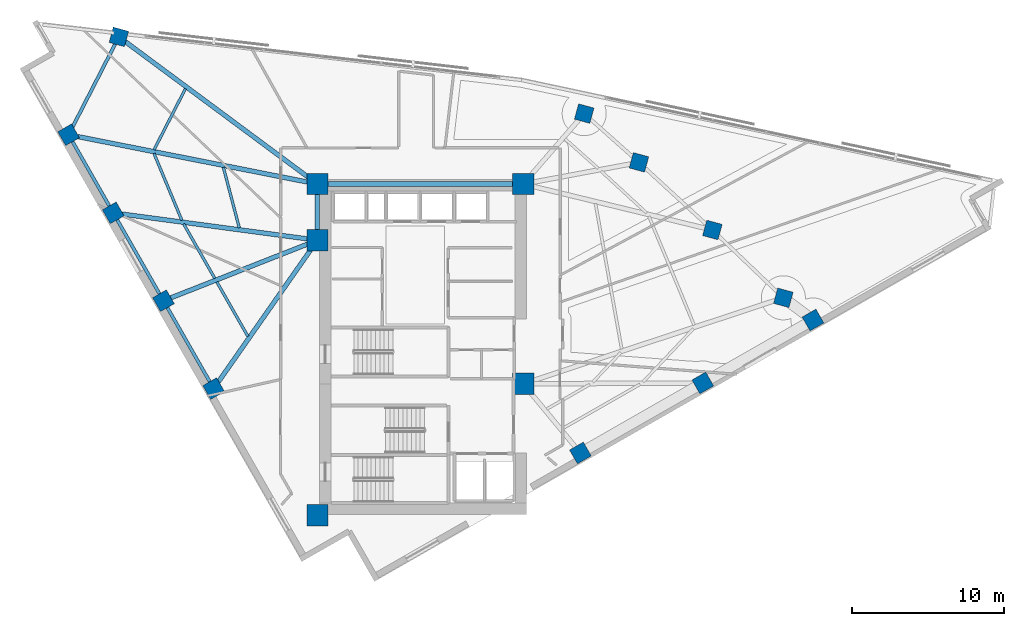
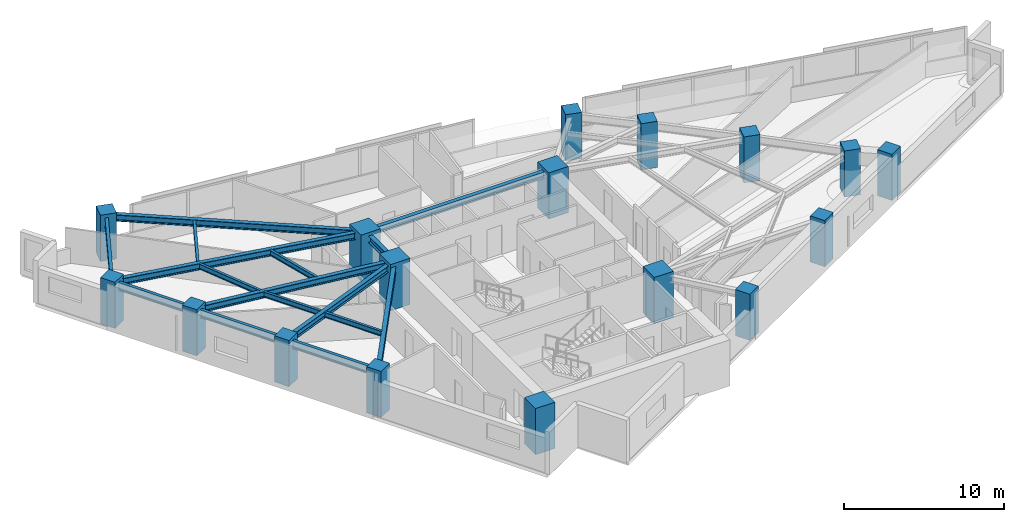
# One storey, part 1 of 14: 17 columns, 16 beams.
"""IFC4 building model written with IfcOpenShell, lengths in metres."""

from ifc_helpers import new_model, si_unit, direction, frame, origin, origin_2d, place, context, subcontext, project, spatial, rectangle, i_section, extrude, material, material_profile, profile_set, type_object, element, save


model = new_model("IFC4")

# Units and contexts
model_context = context("Model", 3, precision=1e-05, world=origin(), true_north=direction((0.0, 1.0)))
body_context = subcontext(model_context, "Body", "Model", "MODEL_VIEW")
ifc_project = project(units=[si_unit("LENGTHUNIT", "METRE"), si_unit("AREAUNIT", "SQUARE_METRE"), si_unit("VOLUMEUNIT", "CUBIC_METRE"), si_unit("PLANEANGLEUNIT", "RADIAN"), si_unit("MASSUNIT", "GRAM", prefix="KILO")], contexts=[model_context])

# Site, building, storey
site_placement = place(None, origin())
site = spatial("IfcSite", under=ifc_project, at=site_placement, CompositionType="ELEMENT")
building_placement = place(site_placement, origin())
building = spatial("IfcBuilding", under=site, at=building_placement, Name="Narakoshi Arena Tower", CompositionType="ELEMENT")
storey_placement = place(building_placement, frame((0.0, 0.0, 218.5)))
storey = spatial("IfcBuildingStorey", under=building, at=storey_placement, Name="L59", CompositionType="ELEMENT", Elevation=218.5)

# Columns
ifc_material_1 = material(Name="Concrete C50/60", Category="concrete")
ifc_material_profile_1 = material_profile(ifc_material_1, rectangle(XDim=1.050048828125, YDim=1.050048828125, at=origin_2d()), Name="RC1050x1050")
ifc_profile_set_1 = profile_set([ifc_material_profile_1], Name="Concrete C50/60")
column_type_1 = type_object("IfcColumnType", Name="COL-RC1050", PredefinedType="COLUMN", material=ifc_profile_set_1)
for number, where, z_axis, x_axis, name in (
    (1, (89.30810546875, 38.798583984375, 0.0), (0.0, 0.0, 1.0), (0.868198814489, 0.496216503675, 0.0), "L59 Tower Perimeter Column TC01"),
    (2, (97.366943359375, 43.404541015625, 0.0), (0.0, 0.0, 1.0), (0.868198814489, 0.496216503675, 0.0), "L59 Tower Perimeter Column TC02"),
    (3, (104.619873046875, 47.550048828125, 0.0), (0.0, 0.0, 1.0), (0.868198814489, 0.496216503675, 0.0), "L59 Tower Perimeter Column TC03"),
    (4, (102.668701171875, 49.009521484375, 0.0), (0.0, 0.0, 1.0), (0.263031214458, 0.964787323829, 0.0), "L59 Tower Perimeter Column TC05"),
    (5, (97.997802734375, 53.47509765625, 0.0), (0.0, 0.0, 1.0), (0.263031214458, 0.964787323829, 0.0), "L59 Tower Perimeter Column TC06"),
    (6, (93.16650390625, 57.923828125, 0.0), (0.0, 0.0, 1.0), (0.263031214458, 0.964787323829, 0.0), "L59 Tower Perimeter Column TC07"),
    (7, (89.5615234375, 61.134765625, 0.0), (0.0, 0.0, 1.0), (0.263031214458, 0.964787323829, 0.0), "L59 Tower Perimeter Column TC08"),
    (8, (58.934326171875, 66.183837890625, 0.0), (0.0, 0.0, 1.0), (0.263031214458, 0.964787323829, 0.0), "L59 Tower Perimeter Column TC10"),
    (9, (55.624755859375, 59.74169921875, 0.0), (0.0, 0.0, 1.0), (-0.496216503675, 0.868198814489, 0.0), "L59 Tower Perimeter Column TC13"),
    (10, (58.562744140625, 54.60107421875, 0.0), (0.0, 0.0, 1.0), (-0.496216503675, 0.868198814489, 0.0), "L59 Tower Perimeter Column TC14"),
    (11, (61.8681640625, 48.81787109375, 0.0), (0.0, 0.0, 1.0), (-0.496216503675, 0.868198814489, 0.0), "L59 Tower Perimeter Column TC15"),
    (12, (65.17333984375, 43.03466796875, 0.0), (0.0, 0.0, 1.0), (-0.496216503675, 0.868198814489, 0.0), "L59 Tower Perimeter Column TC16"),
):
    element("IfcColumn", number, at=place(storey_placement, frame(where, z_axis=z_axis, x_axis=x_axis)), inside=storey, type_object=column_type_1, Name=name, PredefinedType="COLUMN", context=body_context, shape_type="SweptSolid", body=[
        extrude(rectangle(XDim=1.050048828125, YDim=1.050048828125, at=origin_2d()), origin(), (0.0, 0.0, 1.0), 3.52001953125),
    ])
ifc_material_2 = material(Name="Concrete C60/75", Category="concrete")
ifc_material_profile_2 = material_profile(ifc_material_2, rectangle(XDim=1.39990234375, YDim=1.39990234375, at=origin_2d()), Name="RC1400x1400")
ifc_profile_set_2 = profile_set([ifc_material_profile_2], Name="Concrete C60/75")
column_type_2 = type_object("IfcColumnType", Name="COL-RC1400", PredefinedType="COLUMN", material=ifc_profile_set_2)
for number, where, z_axis, x_axis, name in (
    (13, (72.0, 34.699951171875, 0.0), (0.0, 0.0, 1.0), (1.0, 0.0, 0.0), "L59 Core Structural Column CC1"),
    (14, (85.550048828125, 43.35009765625, 0.0), (0.0, 0.0, 1.0), (1.0, 0.0, 0.0), "L59 Core Structural Column CC3"),
    (15, (72.0, 52.800048828125, 0.0), (0.0, 0.0, 1.0), (1.0, 0.0, 0.0), "L59 Core Structural Column CC4"),
    (16, (72.0, 56.5, 0.0), (0.0, 0.0, 1.0), (1.0, 0.0, 0.0), "L59 Core Structural Column CC5"),
    (17, (85.550048828125, 56.5, 0.0), (0.0, 0.0, 1.0), (1.0, 0.0, 0.0), "L59 Core Structural Column CC6"),
):
    element("IfcColumn", number, at=place(storey_placement, frame(where, z_axis=z_axis, x_axis=x_axis)), inside=storey, type_object=column_type_2, Name=name, PredefinedType="COLUMN", context=body_context, shape_type="SweptSolid", body=[
        extrude(rectangle(XDim=1.39990234375, YDim=1.39990234375, at=origin_2d()), origin(), (0.0, 0.0, 1.0), 3.52001953125),
    ])

# Beams
ifc_material_3 = material(Name="Structural steel S355J2", Category="steel")
ifc_material_profile_3 = material_profile(ifc_material_3, i_section(OverallWidth=0.219970703125, OverallDepth=0.60009765625, WebThickness=0.011962890625, FlangeThickness=0.01904296875, FilletRadius=0.02392578125, at=origin_2d()), Name="IPE600")
ifc_profile_set_3 = profile_set([ifc_material_profile_3], Name="Structural steel S355J2")
beam_type_1 = type_object("IfcBeamType", Name="BM-EDGE-600", PredefinedType="BEAM", material=ifc_profile_set_3)
beam_1_placement = place(storey_placement, frame((58.934326171875, 66.183837890625, 2.9599609375), z_axis=(-0.45696256568, -0.889485926571, 0.0), x_axis=(0.889485926571, -0.45696256568, 0.0)))
element("IfcBeam", 18, at=beam_1_placement, inside=storey, type_object=beam_type_1, Name="L59 Perimeter Edge Girder 08", PredefinedType="BEAM", context=body_context, shape_type="SweptSolid", body=[
    extrude(i_section(OverallWidth=0.219970703125, OverallDepth=0.60009765625, WebThickness=0.011962890625, FlangeThickness=0.01904296875, FilletRadius=0.02392578125, at=origin_2d()), origin(), (0.0, 0.0, 1.0), 7.242431640625),
])
beam_2_placement = place(storey_placement, frame((55.624755859375, 59.74169921875, 2.9599609375), z_axis=(0.496201104161, -0.868207615856, 0.0), x_axis=(0.868207615856, 0.496201104161, 0.0)))
element("IfcBeam", 19, at=beam_2_placement, inside=storey, type_object=beam_type_1, Name="L59 Perimeter Edge Girder 09", PredefinedType="BEAM", context=body_context, shape_type="SweptSolid", body=[
    extrude(i_section(OverallWidth=0.219970703125, OverallDepth=0.60009765625, WebThickness=0.011962890625, FlangeThickness=0.01904296875, FilletRadius=0.02392578125, at=origin_2d()), origin(), (0.0, 0.0, 1.0), 5.9208984375),
])
for number, where, z_axis, x_axis, name in (
    (20, (58.562744140625, 54.60107421875, 2.9599609375), (0.496221824399, -0.868195773423, 0.0), (0.868195773423, 0.496221824399, 0.0), "L59 Perimeter Edge Girder 10"),
    (21, (61.8681640625, 48.81787109375, 2.9599609375), (0.496194197226, -0.868211563295, 0.0), (0.868211563295, 0.496194197226, 0.0), "L59 Perimeter Edge Girder 11"),
):
    element("IfcBeam", number, at=place(storey_placement, frame(where, z_axis=z_axis, x_axis=x_axis)), inside=storey, type_object=beam_type_1, Name=name, PredefinedType="BEAM", context=body_context, shape_type="SweptSolid", body=[
        extrude(i_section(OverallWidth=0.219970703125, OverallDepth=0.60009765625, WebThickness=0.011962890625, FlangeThickness=0.01904296875, FilletRadius=0.02392578125, at=origin_2d()), origin(), (0.0, 0.0, 1.0), 6.6611328125),
    ])
ifc_material_profile_4 = material_profile(ifc_material_3, i_section(OverallWidth=0.300048828125, OverallDepth=0.5, WebThickness=0.014404296875, FlangeThickness=0.028076171875, FilletRadius=0.027099609375, at=origin_2d()), Name="HE500B")
ifc_profile_set_4 = profile_set([ifc_material_profile_4], Name="Structural steel S355J2")
beam_type_2 = type_object("IfcBeamType", Name="BM-PRI-500", PredefinedType="BEAM", material=ifc_profile_set_4)
beam_3_placement = place(storey_placement, frame((72.0, 56.5, 3.010009765625), z_axis=(-0.803393614053, 0.595448319252, 0.0), x_axis=(-0.595448319252, -0.803393614053, 0.0)))
element("IfcBeam", 22, at=beam_3_placement, inside=storey, type_object=beam_type_2, Name="L59 Radial Primary Floor Girder 08", PredefinedType="BEAM", context=body_context, shape_type="SweptSolid", body=[
    extrude(i_section(OverallWidth=0.300048828125, OverallDepth=0.5, WebThickness=0.014404296875, FlangeThickness=0.028076171875, FilletRadius=0.027099609375, at=origin_2d()), origin(), (0.0, 0.0, 1.0), 16.26318359375),
])
beam_4_placement = place(storey_placement, frame((72.0, 56.5, 3.010009765625), z_axis=(-0.980962989548, 0.194194781435, 0.0), x_axis=(-0.194194781435, -0.980962989548, 0.0)))
element("IfcBeam", 23, at=beam_4_placement, inside=storey, type_object=beam_type_2, Name="L59 Radial Primary Floor Girder 09", PredefinedType="BEAM", context=body_context, shape_type="SweptSolid", body=[
    extrude(i_section(OverallWidth=0.300048828125, OverallDepth=0.5, WebThickness=0.014404296875, FlangeThickness=0.028076171875, FilletRadius=0.027099609375, at=origin_2d()), origin(), (0.0, 0.0, 1.0), 16.693115234375),
])
beam_5_placement = place(storey_placement, frame((72.0, 52.800048828125, 3.010009765625), z_axis=(-0.991136919777, 0.132844293268, 0.0), x_axis=(-0.132844293268, -0.991136919777, 0.0)))
element("IfcBeam", 24, at=beam_5_placement, inside=storey, type_object=beam_type_2, Name="L59 Radial Primary Floor Girder 10", PredefinedType="BEAM", context=body_context, shape_type="SweptSolid", body=[
    extrude(i_section(OverallWidth=0.300048828125, OverallDepth=0.5, WebThickness=0.014404296875, FlangeThickness=0.028076171875, FilletRadius=0.027099609375, at=origin_2d()), origin(), (0.0, 0.0, 1.0), 13.557373046875),
])
beam_6_placement = place(storey_placement, frame((72.0, 52.800048828125, 3.010009765625), z_axis=(-0.930694784397, -0.365796689838, 0.0), x_axis=(0.365796689838, -0.930694784397, 0.0)))
element("IfcBeam", 25, at=beam_6_placement, inside=storey, type_object=beam_type_2, Name="L59 Radial Primary Floor Girder 11", PredefinedType="BEAM", context=body_context, shape_type="SweptSolid", body=[
    extrude(i_section(OverallWidth=0.300048828125, OverallDepth=0.5, WebThickness=0.014404296875, FlangeThickness=0.028076171875, FilletRadius=0.027099609375, at=origin_2d()), origin(), (0.0, 0.0, 1.0), 10.88623046875),
])
beam_7_placement = place(storey_placement, frame((72.0, 52.800048828125, 3.010009765625), z_axis=(-0.572949287291, -0.819590821198, 0.0), x_axis=(0.819590821198, -0.572949287291, 0.0)))
element("IfcBeam", 26, at=beam_7_placement, inside=storey, type_object=beam_type_2, Name="L59 Radial Primary Floor Girder 12", PredefinedType="BEAM", context=body_context, shape_type="SweptSolid", body=[
    extrude(i_section(OverallWidth=0.300048828125, OverallDepth=0.5, WebThickness=0.014404296875, FlangeThickness=0.028076171875, FilletRadius=0.027099609375, at=origin_2d()), origin(), (0.0, 0.0, 1.0), 11.9150390625),
])
beam_8_placement = place(storey_placement, frame((72.0, 52.800048828125, 3.010009765625), z_axis=(0.0, 1.0, 0.0), x_axis=(-1.0, 0.0, 0.0)))
element("IfcBeam", 27, at=beam_8_placement, inside=storey, type_object=beam_type_2, Name="L59 Core Perimeter Frame Beam CC4-CC5", PredefinedType="BEAM", context=body_context, shape_type="SweptSolid", body=[
    extrude(i_section(OverallWidth=0.300048828125, OverallDepth=0.5, WebThickness=0.014404296875, FlangeThickness=0.028076171875, FilletRadius=0.027099609375, at=origin_2d()), origin(), (0.0, 0.0, 1.0), 3.699951171875),
])
beam_9_placement = place(storey_placement, frame((72.0, 56.5, 3.010009765625), z_axis=(1.0, 0.0, 0.0), x_axis=(0.0, 1.0, 0.0)))
element("IfcBeam", 28, at=beam_9_placement, inside=storey, type_object=beam_type_2, Name="L59 Core Perimeter Frame Beam CC5-CC6", PredefinedType="BEAM", context=body_context, shape_type="SweptSolid", body=[
    extrude(i_section(OverallWidth=0.300048828125, OverallDepth=0.5, WebThickness=0.014404296875, FlangeThickness=0.028076171875, FilletRadius=0.027099609375, at=origin_2d()), origin(), (0.0, 0.0, 1.0), 13.550048828125),
])
ifc_material_profile_5 = material_profile(ifc_material_3, i_section(OverallWidth=0.179931640625, OverallDepth=0.39990234375, WebThickness=0.008544921875, FlangeThickness=0.013427734375, FilletRadius=0.02099609375, at=origin_2d()), Name="IPE400")
ifc_profile_set_5 = profile_set([ifc_material_profile_5], Name="Structural steel S355J2")
beam_type_3 = type_object("IfcBeamType", Name="BM-SEC-400", PredefinedType="JOIST", material=ifc_profile_set_5)
beam_10_placement = place(storey_placement, frame((63.31494140625, 62.771240234375, 3.06005859375), z_axis=(-0.456973703067, -0.889480204785, 0.0), x_axis=(0.889480204785, -0.456973703067, 0.0)))
element("IfcBeam", 29, at=beam_10_placement, inside=storey, type_object=beam_type_3, Name="L59 Composite Secondary Floor Joist 09", PredefinedType="JOIST", context=body_context, shape_type="SweptSolid", body=[
    extrude(i_section(OverallWidth=0.179931640625, OverallDepth=0.39990234375, WebThickness=0.008544921875, FlangeThickness=0.013427734375, FilletRadius=0.02099609375, at=origin_2d()), origin(), (0.0, 0.0, 1.0), 4.51025390625),
])
beam_11_placement = place(storey_placement, frame((65.811767578125, 57.601318359375, 3.06005859375), z_axis=(0.254225056147, -0.967145087785, 0.0), x_axis=(0.967145087785, 0.254225056147, 0.0)))
element("IfcBeam", 30, at=beam_11_placement, inside=storey, type_object=beam_type_3, Name="L59 Composite Secondary Floor Joist 10", PredefinedType="JOIST", context=body_context, shape_type="SweptSolid", body=[
    extrude(i_section(OverallWidth=0.179931640625, OverallDepth=0.39990234375, WebThickness=0.008544921875, FlangeThickness=0.013427734375, FilletRadius=0.02099609375, at=origin_2d()), origin(), (0.0, 0.0, 1.0), 4.121826171875),
])
beam_12_placement = place(storey_placement, frame((61.244384765625, 58.514892578125, 3.06005859375), z_axis=(0.384829846307, -0.922987534797, 0.0), x_axis=(0.922987534797, 0.384829846307, 0.0)))
element("IfcBeam", 31, at=beam_12_placement, inside=storey, type_object=beam_type_3, Name="L59 Composite Secondary Floor Joist 11", PredefinedType="JOIST", context=body_context, shape_type="SweptSolid", body=[
    extrude(i_section(OverallWidth=0.179931640625, OverallDepth=0.39990234375, WebThickness=0.008544921875, FlangeThickness=0.013427734375, FilletRadius=0.02099609375, at=origin_2d()), origin(), (0.0, 0.0, 1.0), 4.768798828125),
])
for number, where, z_axis, x_axis, name in (
    (32, (63.198486328125, 53.87158203125, 3.06005859375), (0.496221767919, -0.868195805705, 0.0), (0.868195805705, 0.496221767919, 0.0), "L59 Composite Secondary Floor Joist 12"),
    (33, (65.3798828125, 50.0546875, 3.06005859375), (0.496221767919, -0.868195805705, 0.0), (0.868195805705, 0.496221767919, 0.0), "L59 Composite Secondary Floor Joist 13"),
):
    element("IfcBeam", number, at=place(storey_placement, frame(where, z_axis=z_axis, x_axis=x_axis)), inside=storey, type_object=beam_type_3, Name=name, PredefinedType="JOIST", context=body_context, shape_type="SweptSolid", body=[
        extrude(i_section(OverallWidth=0.179931640625, OverallDepth=0.39990234375, WebThickness=0.008544921875, FlangeThickness=0.013427734375, FilletRadius=0.02099609375, at=origin_2d()), origin(), (0.0, 0.0, 1.0), 4.12646484375),
    ])

save(model, "model.ifc")
